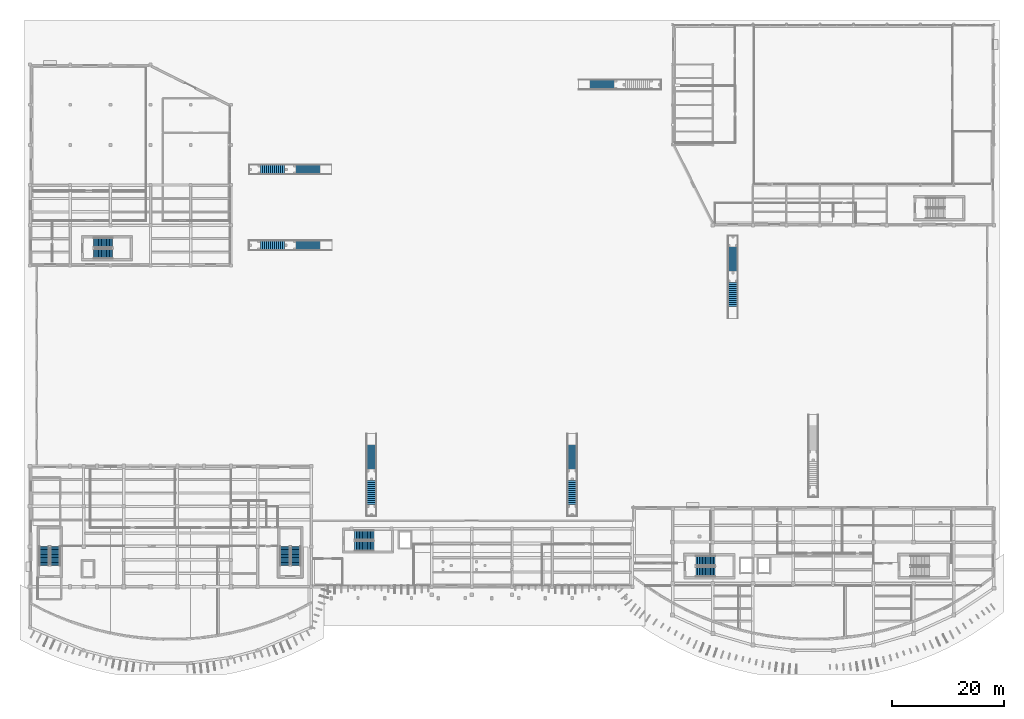
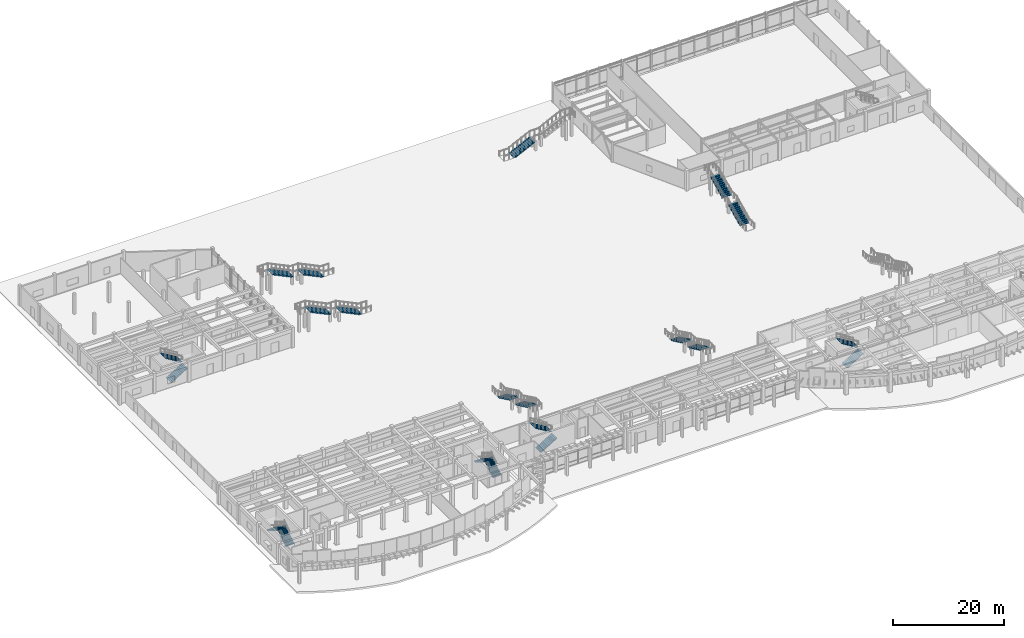
# One storey, part 39 of 58: 21 stair flights, 11 elements without a shape of their own.
"""IFC4 building model written with IfcOpenShell, lengths in metres."""

from ifc_helpers import new_model, si_unit, direction, frame, origin, place, context, subcontext, project, spatial, polyline, outline, extrude, material, type_object, element, aggregate, save


model = new_model("IFC4")

# Units and contexts
model_context = context("Model", 3, precision=1e-05, world=origin(), true_north=direction((0.0, 1.0)))
body_context = subcontext(model_context, "Body", "Model", "MODEL_VIEW")
ifc_project = project(units=[si_unit("LENGTHUNIT", "METRE"), si_unit("AREAUNIT", "SQUARE_METRE"), si_unit("VOLUMEUNIT", "CUBIC_METRE"), si_unit("PLANEANGLEUNIT", "RADIAN"), si_unit("MASSUNIT", "GRAM", prefix="KILO")], contexts=[model_context])

# Site, building, storey
site_placement = place(None, origin())
site = spatial("IfcSite", under=ifc_project, at=site_placement, CompositionType="ELEMENT")
building_placement = place(site_placement, origin())
building = spatial("IfcBuilding", under=site, at=building_placement, Name="Brisavento Harbour Community Centre", CompositionType="ELEMENT")
storey_placement = place(building_placement, origin())
storey = spatial("IfcBuildingStorey", under=building, at=storey_placement, Name="L00", CompositionType="ELEMENT", Elevation=0.0)

# Stair, stair flights
ifc_material_1 = material(Name="Concrete C35/45", Category="concrete")
stair_type_1 = type_object("IfcStairType", Name="STR-DL-4500", PredefinedType="HALF_TURN_STAIR", material=ifc_material_1)
stair_1_placement = place(storey_placement, origin())
stair_1 = element("IfcStair", 1, at=stair_1_placement, inside=storey, type_object=stair_type_1, Name="L00 ST-01", PredefinedType="HALF_TURN_STAIR")
stair_flight_type_1 = type_object("IfcStairFlightType", Name="FLT-DL-4500", PredefinedType="STRAIGHT", material=ifc_material_1)
stair_flight_1_placement = place(storey_placement, frame((4.5, 18.199951171875, 0.0), z_axis=(0.0, 0.0, 1.0), x_axis=(0.0, 1.0, 0.0)))
stair_flight_1 = element("IfcStairFlight", 2, at=stair_flight_1_placement, type_object=stair_flight_type_1, Name="ST-01 flight 1", NumberOfRisers=13, NumberOfTreads=12, PredefinedType="STRAIGHT", RiserHeight=0.173076923, TreadLength=0.285, context=body_context, shape_type="SweptSolid", body=[
    extrude(outline(polyline([(0.0, 0.0), (0.0, 0.173095703125), (0.284912109375, 0.173095703125), (0.284912109375, 0.34619140625), (0.570068359375, 0.34619140625), (0.570068359375, 0.519287109375), (0.85498046875, 0.519287109375), (0.85498046875, 0.6923828125), (1.139892578125, 0.6923828125), (1.139892578125, 0.865478515625), (1.425048828125, 0.865478515625), (1.425048828125, 1.03857421875), (1.7099609375, 1.03857421875), (1.7099609375, 1.21142578125), (1.9951171875, 1.21142578125), (1.9951171875, 1.384521484375), (2.280029296875, 1.384521484375), (2.280029296875, 1.5576171875), (2.56494140625, 1.5576171875), (2.56494140625, 1.730712890625), (2.85009765625, 1.730712890625), (2.85009765625, 1.90380859375), (3.135009765625, 1.90380859375), (3.135009765625, 2.076904296875), (3.419921875, 2.076904296875), (3.419921875, 2.25), (3.419921875, 1.901611328125), (0.288818359375, 0.0), (0.0, 0.0)])), frame((0.0, 0.89990234375, 0.0), z_axis=(0.0, -1.0, 0.0), x_axis=(1.0, 0.0, 0.0)), (0.0, 0.0, 1.0), 1.800048828125),
])
stair_flight_2_placement = place(storey_placement, frame((2.550048828125, 21.6201171875, 2.25), z_axis=(0.0, 0.0, 1.0), x_axis=(0.0, -1.0, 0.0)))
stair_flight_2 = element("IfcStairFlight", 3, at=stair_flight_2_placement, type_object=stair_flight_type_1, Name="ST-01 flight 2", NumberOfRisers=13, NumberOfTreads=12, PredefinedType="STRAIGHT", RiserHeight=0.173076923, TreadLength=0.285, context=body_context, shape_type="SweptSolid", body=[
    extrude(outline(polyline([(0.0, 0.0), (0.0, 0.173095703125), (0.284912109375, 0.173095703125), (0.284912109375, 0.34619140625), (0.570068359375, 0.34619140625), (0.570068359375, 0.519287109375), (0.85498046875, 0.519287109375), (0.85498046875, 0.6923828125), (1.139892578125, 0.6923828125), (1.139892578125, 0.865478515625), (1.425048828125, 0.865478515625), (1.425048828125, 1.03857421875), (1.7099609375, 1.03857421875), (1.7099609375, 1.21142578125), (1.9951171875, 1.21142578125), (1.9951171875, 1.384521484375), (2.280029296875, 1.384521484375), (2.280029296875, 1.5576171875), (2.56494140625, 1.5576171875), (2.56494140625, 1.730712890625), (2.85009765625, 1.730712890625), (2.85009765625, 1.90380859375), (3.135009765625, 1.90380859375), (3.135009765625, 2.076904296875), (3.419921875, 2.076904296875), (3.419921875, 2.25), (3.419921875, 1.901611328125), (0.288818359375, 0.0), (0.0, 0.0)])), frame((0.0, 0.89990234375, 0.0), z_axis=(0.0, -1.0, 0.0), x_axis=(1.0, 0.0, 0.0)), (0.0, 0.0, 1.0), 1.800048828125),
])
aggregate(stair_1, [stair_flight_1, stair_flight_2])

stair_2_placement = place(storey_placement, origin())
stair_2 = element("IfcStair", 4, at=stair_2_placement, inside=storey, type_object=stair_type_1, Name="L00 ST-02", PredefinedType="HALF_TURN_STAIR")
stair_flight_3_placement = place(storey_placement, frame((47.64990234375, 18.199951171875, 0.0), z_axis=(0.0, 0.0, 1.0), x_axis=(0.0, 1.0, 0.0)))
stair_flight_3 = element("IfcStairFlight", 5, at=stair_flight_3_placement, type_object=stair_flight_type_1, Name="ST-02 flight 1", NumberOfRisers=13, NumberOfTreads=12, PredefinedType="STRAIGHT", RiserHeight=0.173076923, TreadLength=0.285, context=body_context, shape_type="SweptSolid", body=[
    extrude(outline(polyline([(0.0, 0.0), (0.0, 0.173095703125), (0.284912109375, 0.173095703125), (0.284912109375, 0.34619140625), (0.570068359375, 0.34619140625), (0.570068359375, 0.519287109375), (0.85498046875, 0.519287109375), (0.85498046875, 0.6923828125), (1.139892578125, 0.6923828125), (1.139892578125, 0.865478515625), (1.425048828125, 0.865478515625), (1.425048828125, 1.03857421875), (1.7099609375, 1.03857421875), (1.7099609375, 1.21142578125), (1.9951171875, 1.21142578125), (1.9951171875, 1.384521484375), (2.280029296875, 1.384521484375), (2.280029296875, 1.5576171875), (2.56494140625, 1.5576171875), (2.56494140625, 1.730712890625), (2.85009765625, 1.730712890625), (2.85009765625, 1.90380859375), (3.135009765625, 1.90380859375), (3.135009765625, 2.076904296875), (3.419921875, 2.076904296875), (3.419921875, 2.25), (3.419921875, 1.901611328125), (0.288818359375, 0.0), (0.0, 0.0)])), frame((0.0, 0.89990234375, 0.0), z_axis=(0.0, -1.0, 0.0), x_axis=(1.0, 0.0, 0.0)), (0.0, 0.0, 1.0), 1.800048828125),
])
stair_flight_4_placement = place(storey_placement, frame((45.699951171875, 21.6201171875, 2.25), z_axis=(0.0, 0.0, 1.0), x_axis=(0.0, -1.0, 0.0)))
stair_flight_4 = element("IfcStairFlight", 6, at=stair_flight_4_placement, type_object=stair_flight_type_1, Name="ST-02 flight 2", NumberOfRisers=13, NumberOfTreads=12, PredefinedType="STRAIGHT", RiserHeight=0.173076923, TreadLength=0.285, context=body_context, shape_type="SweptSolid", body=[
    extrude(outline(polyline([(0.0, 0.0), (0.0, 0.173095703125), (0.284912109375, 0.173095703125), (0.284912109375, 0.34619140625), (0.570068359375, 0.34619140625), (0.570068359375, 0.519287109375), (0.85498046875, 0.519287109375), (0.85498046875, 0.6923828125), (1.139892578125, 0.6923828125), (1.139892578125, 0.865478515625), (1.425048828125, 0.865478515625), (1.425048828125, 1.03857421875), (1.7099609375, 1.03857421875), (1.7099609375, 1.21142578125), (1.9951171875, 1.21142578125), (1.9951171875, 1.384521484375), (2.280029296875, 1.384521484375), (2.280029296875, 1.5576171875), (2.56494140625, 1.5576171875), (2.56494140625, 1.730712890625), (2.85009765625, 1.730712890625), (2.85009765625, 1.90380859375), (3.135009765625, 1.90380859375), (3.135009765625, 2.076904296875), (3.419921875, 2.076904296875), (3.419921875, 2.25), (3.419921875, 1.901611328125), (0.288818359375, 0.0), (0.0, 0.0)])), frame((0.0, 0.89990234375, 0.0), z_axis=(0.0, -1.0, 0.0), x_axis=(1.0, 0.0, 0.0)), (0.0, 0.0, 1.0), 1.800048828125),
])
aggregate(stair_2, [stair_flight_3, stair_flight_4])

stair_3_placement = place(storey_placement, origin())
stair_3 = element("IfcStair", 7, at=stair_3_placement, inside=storey, type_object=stair_type_1, Name="L00 ST-03", PredefinedType="HALF_TURN_STAIR")
stair_flight_5_placement = place(storey_placement, frame((58.199951171875, 21.699951171875, 0.0), z_axis=(0.0, 0.0, 1.0), x_axis=(1.0, 0.0, 0.0)))
stair_flight_5 = element("IfcStairFlight", 8, at=stair_flight_5_placement, type_object=stair_flight_type_1, Name="ST-03 flight 1", NumberOfRisers=13, NumberOfTreads=12, PredefinedType="STRAIGHT", RiserHeight=0.173076923, TreadLength=0.285, context=body_context, shape_type="SweptSolid", body=[
    extrude(outline(polyline([(0.0, 0.0), (0.0, 0.173095703125), (0.284912109375, 0.173095703125), (0.284912109375, 0.34619140625), (0.570068359375, 0.34619140625), (0.570068359375, 0.519287109375), (0.85498046875, 0.519287109375), (0.85498046875, 0.6923828125), (1.139892578125, 0.6923828125), (1.139892578125, 0.865478515625), (1.425048828125, 0.865478515625), (1.425048828125, 1.03857421875), (1.7099609375, 1.03857421875), (1.7099609375, 1.21142578125), (1.9951171875, 1.21142578125), (1.9951171875, 1.384521484375), (2.280029296875, 1.384521484375), (2.280029296875, 1.5576171875), (2.56494140625, 1.5576171875), (2.56494140625, 1.730712890625), (2.85009765625, 1.730712890625), (2.85009765625, 1.90380859375), (3.135009765625, 1.90380859375), (3.135009765625, 2.076904296875), (3.419921875, 2.076904296875), (3.419921875, 2.25), (3.419921875, 1.901611328125), (0.288818359375, 0.0), (0.0, 0.0)])), frame((0.0, 0.89990234375, 0.0), z_axis=(0.0, -1.0, 0.0), x_axis=(1.0, 0.0, 0.0)), (0.0, 0.0, 1.0), 1.800048828125),
])
stair_flight_6_placement = place(storey_placement, frame((61.6201171875, 23.64990234375, 2.25), z_axis=(0.0, 0.0, 1.0), x_axis=(-1.0, 0.0, 0.0)))
stair_flight_6 = element("IfcStairFlight", 9, at=stair_flight_6_placement, type_object=stair_flight_type_1, Name="ST-03 flight 2", NumberOfRisers=13, NumberOfTreads=12, PredefinedType="STRAIGHT", RiserHeight=0.173076923, TreadLength=0.285, context=body_context, shape_type="SweptSolid", body=[
    extrude(outline(polyline([(0.0, 0.0), (0.0, 0.173095703125), (0.284912109375, 0.173095703125), (0.284912109375, 0.34619140625), (0.570068359375, 0.34619140625), (0.570068359375, 0.519287109375), (0.85498046875, 0.519287109375), (0.85498046875, 0.6923828125), (1.139892578125, 0.6923828125), (1.139892578125, 0.865478515625), (1.425048828125, 0.865478515625), (1.425048828125, 1.03857421875), (1.7099609375, 1.03857421875), (1.7099609375, 1.21142578125), (1.9951171875, 1.21142578125), (1.9951171875, 1.384521484375), (2.280029296875, 1.384521484375), (2.280029296875, 1.5576171875), (2.56494140625, 1.5576171875), (2.56494140625, 1.730712890625), (2.85009765625, 1.730712890625), (2.85009765625, 1.90380859375), (3.135009765625, 1.90380859375), (3.135009765625, 2.076904296875), (3.419921875, 2.076904296875), (3.419921875, 2.25), (3.419921875, 1.901611328125), (0.288818359375, 0.0), (0.0, 0.0)])), frame((0.0, 0.89990234375, 0.0), z_axis=(0.0, -1.0, 0.0), x_axis=(1.0, 0.0, 0.0)), (0.0, 0.0, 1.0), 1.800048828125),
])
aggregate(stair_3, [stair_flight_5, stair_flight_6])

stair_4_placement = place(storey_placement, origin())
stair_4 = element("IfcStair", 10, at=stair_4_placement, inside=storey, type_object=stair_type_1, Name="L00 ST-04", PredefinedType="HALF_TURN_STAIR")
stair_flight_7_placement = place(storey_placement, frame((119.39990234375, 17.10009765625, 0.0), z_axis=(0.0, 0.0, 1.0), x_axis=(1.0, 0.0, 0.0)))
stair_flight_7 = element("IfcStairFlight", 11, at=stair_flight_7_placement, type_object=stair_flight_type_1, Name="ST-04 flight 1", NumberOfRisers=13, NumberOfTreads=12, PredefinedType="STRAIGHT", RiserHeight=0.173076923, TreadLength=0.285, context=body_context, shape_type="SweptSolid", body=[
    extrude(outline(polyline([(0.0, 0.0), (0.0, 0.173095703125), (0.284912109375, 0.173095703125), (0.284912109375, 0.34619140625), (0.570068359375, 0.34619140625), (0.570068359375, 0.519287109375), (0.85498046875, 0.519287109375), (0.85498046875, 0.6923828125), (1.139892578125, 0.6923828125), (1.139892578125, 0.865478515625), (1.425048828125, 0.865478515625), (1.425048828125, 1.03857421875), (1.7099609375, 1.03857421875), (1.7099609375, 1.21142578125), (1.9951171875, 1.21142578125), (1.9951171875, 1.384521484375), (2.280029296875, 1.384521484375), (2.280029296875, 1.5576171875), (2.56494140625, 1.5576171875), (2.56494140625, 1.730712890625), (2.85009765625, 1.730712890625), (2.85009765625, 1.90380859375), (3.135009765625, 1.90380859375), (3.135009765625, 2.076904296875), (3.419921875, 2.076904296875), (3.419921875, 2.25), (3.419921875, 1.901611328125), (0.288818359375, 0.0), (0.0, 0.0)])), frame((0.0, 0.89990234375, 0.0), z_axis=(0.0, -1.0, 0.0), x_axis=(1.0, 0.0, 0.0)), (0.0, 0.0, 1.0), 1.800048828125),
])
stair_flight_8_placement = place(storey_placement, frame((122.820068359375, 19.050048828125, 2.25), z_axis=(0.0, 0.0, 1.0), x_axis=(-1.0, 0.0, 0.0)))
stair_flight_8 = element("IfcStairFlight", 12, at=stair_flight_8_placement, type_object=stair_flight_type_1, Name="ST-04 flight 2", NumberOfRisers=13, NumberOfTreads=12, PredefinedType="STRAIGHT", RiserHeight=0.173076923, TreadLength=0.285, context=body_context, shape_type="SweptSolid", body=[
    extrude(outline(polyline([(0.0, 0.0), (0.0, 0.173095703125), (0.284912109375, 0.173095703125), (0.284912109375, 0.34619140625), (0.570068359375, 0.34619140625), (0.570068359375, 0.519287109375), (0.85498046875, 0.519287109375), (0.85498046875, 0.6923828125), (1.139892578125, 0.6923828125), (1.139892578125, 0.865478515625), (1.425048828125, 0.865478515625), (1.425048828125, 1.03857421875), (1.7099609375, 1.03857421875), (1.7099609375, 1.21142578125), (1.9951171875, 1.21142578125), (1.9951171875, 1.384521484375), (2.280029296875, 1.384521484375), (2.280029296875, 1.5576171875), (2.56494140625, 1.5576171875), (2.56494140625, 1.730712890625), (2.85009765625, 1.730712890625), (2.85009765625, 1.90380859375), (3.135009765625, 1.90380859375), (3.135009765625, 2.076904296875), (3.419921875, 2.076904296875), (3.419921875, 2.25), (3.419921875, 1.901611328125), (0.288818359375, 0.0), (0.0, 0.0)])), frame((0.0, 0.89990234375, 0.0), z_axis=(0.0, -1.0, 0.0), x_axis=(1.0, 0.0, 0.0)), (0.0, 0.0, 1.0), 1.800048828125),
])
aggregate(stair_4, [stair_flight_7, stair_flight_8])

stair_5_placement = place(storey_placement, origin())
stair_5 = element("IfcStair", 13, at=stair_5_placement, inside=storey, type_object=stair_type_1, Name="L00 ST-07", PredefinedType="HALF_TURN_STAIR")
stair_flight_9_placement = place(storey_placement, frame((11.39990234375, 74.10009765625, 0.0), z_axis=(0.0, 0.0, 1.0), x_axis=(1.0, 0.0, 0.0)))
stair_flight_9 = element("IfcStairFlight", 14, at=stair_flight_9_placement, type_object=stair_flight_type_1, Name="ST-07 flight 1", NumberOfRisers=13, NumberOfTreads=12, PredefinedType="STRAIGHT", RiserHeight=0.173076923, TreadLength=0.285, context=body_context, shape_type="SweptSolid", body=[
    extrude(outline(polyline([(0.0, 0.0), (0.0, 0.173095703125), (0.284912109375, 0.173095703125), (0.284912109375, 0.34619140625), (0.570068359375, 0.34619140625), (0.570068359375, 0.519287109375), (0.85498046875, 0.519287109375), (0.85498046875, 0.6923828125), (1.139892578125, 0.6923828125), (1.139892578125, 0.865478515625), (1.425048828125, 0.865478515625), (1.425048828125, 1.03857421875), (1.7099609375, 1.03857421875), (1.7099609375, 1.21142578125), (1.9951171875, 1.21142578125), (1.9951171875, 1.384521484375), (2.280029296875, 1.384521484375), (2.280029296875, 1.5576171875), (2.56494140625, 1.5576171875), (2.56494140625, 1.730712890625), (2.85009765625, 1.730712890625), (2.85009765625, 1.90380859375), (3.135009765625, 1.90380859375), (3.135009765625, 2.076904296875), (3.419921875, 2.076904296875), (3.419921875, 2.25), (3.419921875, 1.901611328125), (0.288818359375, 0.0), (0.0, 0.0)])), frame((0.0, 0.89990234375, 0.0), z_axis=(0.0, -1.0, 0.0), x_axis=(1.0, 0.0, 0.0)), (0.0, 0.0, 1.0), 1.800048828125),
])
stair_flight_10_placement = place(storey_placement, frame((14.820068359375, 76.050048828125, 2.25), z_axis=(0.0, 0.0, 1.0), x_axis=(-1.0, 0.0, 0.0)))
stair_flight_10 = element("IfcStairFlight", 15, at=stair_flight_10_placement, type_object=stair_flight_type_1, Name="ST-07 flight 2", NumberOfRisers=13, NumberOfTreads=12, PredefinedType="STRAIGHT", RiserHeight=0.173076923, TreadLength=0.285, context=body_context, shape_type="SweptSolid", body=[
    extrude(outline(polyline([(0.0, 0.0), (0.0, 0.173095703125), (0.284912109375, 0.173095703125), (0.284912109375, 0.34619140625), (0.570068359375, 0.34619140625), (0.570068359375, 0.519287109375), (0.85498046875, 0.519287109375), (0.85498046875, 0.6923828125), (1.139892578125, 0.6923828125), (1.139892578125, 0.865478515625), (1.425048828125, 0.865478515625), (1.425048828125, 1.03857421875), (1.7099609375, 1.03857421875), (1.7099609375, 1.21142578125), (1.9951171875, 1.21142578125), (1.9951171875, 1.384521484375), (2.280029296875, 1.384521484375), (2.280029296875, 1.5576171875), (2.56494140625, 1.5576171875), (2.56494140625, 1.730712890625), (2.85009765625, 1.730712890625), (2.85009765625, 1.90380859375), (3.135009765625, 1.90380859375), (3.135009765625, 2.076904296875), (3.419921875, 2.076904296875), (3.419921875, 2.25), (3.419921875, 1.901611328125), (0.288818359375, 0.0), (0.0, 0.0)])), frame((0.0, 0.89990234375, 0.0), z_axis=(0.0, -1.0, 0.0), x_axis=(1.0, 0.0, 0.0)), (0.0, 0.0, 1.0), 1.800048828125),
])
aggregate(stair_5, [stair_flight_9, stair_flight_10])

ifc_material_2 = material(Name="Precast concrete C40/50", Category="concrete")
stair_type_2 = type_object("IfcStairType", Name="STR-MON-1", PredefinedType="STRAIGHT_RUN_STAIR", material=ifc_material_2)
stair_6_placement = place(storey_placement, origin())
stair_6 = element("IfcStair", 16, at=stair_6_placement, inside=storey, type_object=stair_type_2, Name="L00 monumental courtyard stair MST-01", PredefinedType="STRAIGHT_RUN_STAIR")
stair_flight_type_2 = type_object("IfcStairFlightType", Name="FLT-MON-1", PredefinedType="STRAIGHT", material=ifc_material_2)
stair_flight_11_placement = place(storey_placement, frame((61.199951171875, 39.800048828125, 0.0), z_axis=(0.0, 0.0, 1.0), x_axis=(0.0, -1.0, 0.0)))
stair_flight_11 = element("IfcStairFlight", 17, at=stair_flight_11_placement, type_object=stair_flight_type_2, Name="MST-01 flight 1", NumberOfRisers=13, NumberOfTreads=12, PredefinedType="STRAIGHT", RiserHeight=0.173076923, TreadLength=0.36, context=body_context, shape_type="SweptSolid", body=[
    extrude(outline(polyline([(0.0, 0.0), (0.0, 0.173095703125), (0.360107421875, 0.173095703125), (0.360107421875, 0.34619140625), (0.719970703125, 0.34619140625), (0.719970703125, 0.519287109375), (1.080078125, 0.519287109375), (1.080078125, 0.6923828125), (1.43994140625, 0.6923828125), (1.43994140625, 0.865478515625), (1.800048828125, 0.865478515625), (1.800048828125, 1.03857421875), (2.159912109375, 1.03857421875), (2.159912109375, 1.21142578125), (2.52001953125, 1.21142578125), (2.52001953125, 1.384521484375), (2.8798828125, 1.384521484375), (2.8798828125, 1.5576171875), (3.239990234375, 1.5576171875), (3.239990234375, 1.730712890625), (3.60009765625, 1.730712890625), (3.60009765625, 1.90380859375), (3.9599609375, 1.90380859375), (3.9599609375, 2.076904296875), (4.320068359375, 2.076904296875), (4.320068359375, 2.25), (4.320068359375, 1.877197265625), (0.415283203125, 0.0), (0.0, 0.0)])), frame((0.0, 0.89990234375, 0.0), z_axis=(0.0, -1.0, 0.0), x_axis=(1.0, 0.0, 0.0)), (0.0, 0.0, 1.0), 1.800048828125),
])
stair_flight_12_placement = place(storey_placement, frame((61.199951171875, 33.429931640625, 2.25), z_axis=(0.0, 0.0, 1.0), x_axis=(0.0, -1.0, 0.0)))
stair_flight_12 = element("IfcStairFlight", 18, at=stair_flight_12_placement, type_object=stair_flight_type_2, Name="MST-01 flight 2", NumberOfRisers=13, NumberOfTreads=12, PredefinedType="STRAIGHT", RiserHeight=0.173076923, TreadLength=0.36, context=body_context, shape_type="SweptSolid", body=[
    extrude(outline(polyline([(0.0, 0.0), (0.0, 0.173095703125), (0.360107421875, 0.173095703125), (0.360107421875, 0.34619140625), (0.719970703125, 0.34619140625), (0.719970703125, 0.519287109375), (1.080078125, 0.519287109375), (1.080078125, 0.6923828125), (1.43994140625, 0.6923828125), (1.43994140625, 0.865478515625), (1.800048828125, 0.865478515625), (1.800048828125, 1.03857421875), (2.159912109375, 1.03857421875), (2.159912109375, 1.21142578125), (2.52001953125, 1.21142578125), (2.52001953125, 1.384521484375), (2.8798828125, 1.384521484375), (2.8798828125, 1.5576171875), (3.239990234375, 1.5576171875), (3.239990234375, 1.730712890625), (3.60009765625, 1.730712890625), (3.60009765625, 1.90380859375), (3.9599609375, 1.90380859375), (3.9599609375, 2.076904296875), (4.320068359375, 2.076904296875), (4.320068359375, 2.25), (4.320068359375, 1.877197265625), (0.415283203125, 0.0), (0.0, 0.0)])), frame((0.0, 0.89990234375, 0.0), z_axis=(0.0, -1.0, 0.0), x_axis=(1.0, 0.0, 0.0)), (0.0, 0.0, 1.0), 1.800048828125),
])
aggregate(stair_6, [stair_flight_11, stair_flight_12])

stair_7_placement = place(storey_placement, origin())
stair_7 = element("IfcStair", 19, at=stair_7_placement, inside=storey, type_object=stair_type_2, Name="L00 monumental courtyard stair MST-02", PredefinedType="STRAIGHT_RUN_STAIR")
stair_flight_13_placement = place(storey_placement, frame((97.199951171875, 39.800048828125, 0.0), z_axis=(0.0, 0.0, 1.0), x_axis=(0.0, -1.0, 0.0)))
stair_flight_13 = element("IfcStairFlight", 20, at=stair_flight_13_placement, type_object=stair_flight_type_2, Name="MST-02 flight 1", NumberOfRisers=13, NumberOfTreads=12, PredefinedType="STRAIGHT", RiserHeight=0.173076923, TreadLength=0.36, context=body_context, shape_type="SweptSolid", body=[
    extrude(outline(polyline([(0.0, 0.0), (0.0, 0.173095703125), (0.360107421875, 0.173095703125), (0.360107421875, 0.34619140625), (0.719970703125, 0.34619140625), (0.719970703125, 0.519287109375), (1.080078125, 0.519287109375), (1.080078125, 0.6923828125), (1.43994140625, 0.6923828125), (1.43994140625, 0.865478515625), (1.800048828125, 0.865478515625), (1.800048828125, 1.03857421875), (2.159912109375, 1.03857421875), (2.159912109375, 1.21142578125), (2.52001953125, 1.21142578125), (2.52001953125, 1.384521484375), (2.8798828125, 1.384521484375), (2.8798828125, 1.5576171875), (3.239990234375, 1.5576171875), (3.239990234375, 1.730712890625), (3.60009765625, 1.730712890625), (3.60009765625, 1.90380859375), (3.9599609375, 1.90380859375), (3.9599609375, 2.076904296875), (4.320068359375, 2.076904296875), (4.320068359375, 2.25), (4.320068359375, 1.877197265625), (0.415283203125, 0.0), (0.0, 0.0)])), frame((0.0, 0.89990234375, 0.0), z_axis=(0.0, -1.0, 0.0), x_axis=(1.0, 0.0, 0.0)), (0.0, 0.0, 1.0), 1.800048828125),
])
stair_flight_14_placement = place(storey_placement, frame((97.199951171875, 33.429931640625, 2.25), z_axis=(0.0, 0.0, 1.0), x_axis=(0.0, -1.0, 0.0)))
stair_flight_14 = element("IfcStairFlight", 21, at=stair_flight_14_placement, type_object=stair_flight_type_2, Name="MST-02 flight 2", NumberOfRisers=13, NumberOfTreads=12, PredefinedType="STRAIGHT", RiserHeight=0.173076923, TreadLength=0.36, context=body_context, shape_type="SweptSolid", body=[
    extrude(outline(polyline([(0.0, 0.0), (0.0, 0.173095703125), (0.360107421875, 0.173095703125), (0.360107421875, 0.34619140625), (0.719970703125, 0.34619140625), (0.719970703125, 0.519287109375), (1.080078125, 0.519287109375), (1.080078125, 0.6923828125), (1.43994140625, 0.6923828125), (1.43994140625, 0.865478515625), (1.800048828125, 0.865478515625), (1.800048828125, 1.03857421875), (2.159912109375, 1.03857421875), (2.159912109375, 1.21142578125), (2.52001953125, 1.21142578125), (2.52001953125, 1.384521484375), (2.8798828125, 1.384521484375), (2.8798828125, 1.5576171875), (3.239990234375, 1.5576171875), (3.239990234375, 1.730712890625), (3.60009765625, 1.730712890625), (3.60009765625, 1.90380859375), (3.9599609375, 1.90380859375), (3.9599609375, 2.076904296875), (4.320068359375, 2.076904296875), (4.320068359375, 2.25), (4.320068359375, 1.877197265625), (0.415283203125, 0.0), (0.0, 0.0)])), frame((0.0, 0.89990234375, 0.0), z_axis=(0.0, -1.0, 0.0), x_axis=(1.0, 0.0, 0.0)), (0.0, 0.0, 1.0), 1.800048828125),
])
aggregate(stair_7, [stair_flight_13, stair_flight_14])

# Stair, stair flight
stair_8_placement = place(storey_placement, origin())
stair_8 = element("IfcStair", 22, at=stair_8_placement, inside=storey, type_object=stair_type_2, Name="L00 monumental courtyard stair MST-06", PredefinedType="STRAIGHT_RUN_STAIR")
stair_flight_15_placement = place(storey_placement, frame((100.39990234375, 104.39990234375, 0.0), z_axis=(0.0, 0.0, 1.0), x_axis=(1.0, 0.0, 0.0)))
stair_flight_15 = element("IfcStairFlight", 23, at=stair_flight_15_placement, type_object=stair_flight_type_2, Name="MST-06 flight 1", NumberOfRisers=13, NumberOfTreads=12, PredefinedType="STRAIGHT", RiserHeight=0.173076923, TreadLength=0.36, context=body_context, shape_type="SweptSolid", body=[
    extrude(outline(polyline([(0.0, 0.0), (0.0, 0.173095703125), (0.360107421875, 0.173095703125), (0.360107421875, 0.34619140625), (0.719970703125, 0.34619140625), (0.719970703125, 0.519287109375), (1.080078125, 0.519287109375), (1.080078125, 0.6923828125), (1.43994140625, 0.6923828125), (1.43994140625, 0.865478515625), (1.800048828125, 0.865478515625), (1.800048828125, 1.03857421875), (2.159912109375, 1.03857421875), (2.159912109375, 1.21142578125), (2.52001953125, 1.21142578125), (2.52001953125, 1.384521484375), (2.8798828125, 1.384521484375), (2.8798828125, 1.5576171875), (3.239990234375, 1.5576171875), (3.239990234375, 1.730712890625), (3.60009765625, 1.730712890625), (3.60009765625, 1.90380859375), (3.9599609375, 1.90380859375), (3.9599609375, 2.076904296875), (4.320068359375, 2.076904296875), (4.320068359375, 2.25), (4.320068359375, 1.877197265625), (0.415283203125, 0.0), (0.0, 0.0)])), frame((0.0, 0.89990234375, 0.0), z_axis=(0.0, -1.0, 0.0), x_axis=(1.0, 0.0, 0.0)), (0.0, 0.0, 1.0), 1.800048828125),
])
aggregate(stair_8, [stair_flight_15])

# Stair, stair flights
stair_9_placement = place(storey_placement, origin())
stair_9 = element("IfcStair", 24, at=stair_9_placement, inside=storey, type_object=stair_type_2, Name="L00 monumental courtyard stair MST-07", PredefinedType="STRAIGHT_RUN_STAIR")
stair_flight_16_placement = place(storey_placement, frame((52.0, 89.199951171875, 0.0), z_axis=(0.0, 0.0, 1.0), x_axis=(-1.0, 0.0, 0.0)))
stair_flight_16 = element("IfcStairFlight", 25, at=stair_flight_16_placement, type_object=stair_flight_type_2, Name="MST-07 flight 1", NumberOfRisers=13, NumberOfTreads=12, PredefinedType="STRAIGHT", RiserHeight=0.173076923, TreadLength=0.36, context=body_context, shape_type="SweptSolid", body=[
    extrude(outline(polyline([(0.0, 0.0), (0.0, 0.173095703125), (0.360107421875, 0.173095703125), (0.360107421875, 0.34619140625), (0.719970703125, 0.34619140625), (0.719970703125, 0.519287109375), (1.080078125, 0.519287109375), (1.080078125, 0.6923828125), (1.43994140625, 0.6923828125), (1.43994140625, 0.865478515625), (1.800048828125, 0.865478515625), (1.800048828125, 1.03857421875), (2.159912109375, 1.03857421875), (2.159912109375, 1.21142578125), (2.52001953125, 1.21142578125), (2.52001953125, 1.384521484375), (2.8798828125, 1.384521484375), (2.8798828125, 1.5576171875), (3.239990234375, 1.5576171875), (3.239990234375, 1.730712890625), (3.60009765625, 1.730712890625), (3.60009765625, 1.90380859375), (3.9599609375, 1.90380859375), (3.9599609375, 2.076904296875), (4.320068359375, 2.076904296875), (4.320068359375, 2.25), (4.320068359375, 1.877197265625), (0.415283203125, 0.0), (0.0, 0.0)])), frame((0.0, 0.89990234375, 0.0), z_axis=(0.0, -1.0, 0.0), x_axis=(1.0, 0.0, 0.0)), (0.0, 0.0, 1.0), 1.800048828125),
])
stair_flight_17_placement = place(storey_placement, frame((45.6298828125, 89.199951171875, 2.25), z_axis=(0.0, 0.0, 1.0), x_axis=(-1.0, 0.0, 0.0)))
stair_flight_17 = element("IfcStairFlight", 26, at=stair_flight_17_placement, type_object=stair_flight_type_2, Name="MST-07 flight 2", NumberOfRisers=13, NumberOfTreads=12, PredefinedType="STRAIGHT", RiserHeight=0.173076923, TreadLength=0.36, context=body_context, shape_type="SweptSolid", body=[
    extrude(outline(polyline([(0.0, 0.0), (0.0, 0.173095703125), (0.360107421875, 0.173095703125), (0.360107421875, 0.34619140625), (0.719970703125, 0.34619140625), (0.719970703125, 0.519287109375), (1.080078125, 0.519287109375), (1.080078125, 0.6923828125), (1.43994140625, 0.6923828125), (1.43994140625, 0.865478515625), (1.800048828125, 0.865478515625), (1.800048828125, 1.03857421875), (2.159912109375, 1.03857421875), (2.159912109375, 1.21142578125), (2.52001953125, 1.21142578125), (2.52001953125, 1.384521484375), (2.8798828125, 1.384521484375), (2.8798828125, 1.5576171875), (3.239990234375, 1.5576171875), (3.239990234375, 1.730712890625), (3.60009765625, 1.730712890625), (3.60009765625, 1.90380859375), (3.9599609375, 1.90380859375), (3.9599609375, 2.076904296875), (4.320068359375, 2.076904296875), (4.320068359375, 2.25), (4.320068359375, 1.877197265625), (0.415283203125, 0.0), (0.0, 0.0)])), frame((0.0, 0.89990234375, 0.0), z_axis=(0.0, -1.0, 0.0), x_axis=(1.0, 0.0, 0.0)), (0.0, 0.0, 1.0), 1.800048828125),
])
aggregate(stair_9, [stair_flight_16, stair_flight_17])

stair_type_3 = type_object("IfcStairType", Name="STR-MON-2", PredefinedType="STRAIGHT_RUN_STAIR", material=ifc_material_2)
stair_10_placement = place(storey_placement, origin())
stair_10 = element("IfcStair", 27, at=stair_10_placement, inside=storey, type_object=stair_type_3, Name="L00 monumental courtyard stair MST-03", PredefinedType="STRAIGHT_RUN_STAIR")
stair_flight_type_3 = type_object("IfcStairFlightType", Name="FLT-MON-2", PredefinedType="STRAIGHT", material=ifc_material_2)
stair_flight_18_placement = place(storey_placement, frame((126.0, 64.60009765625, 0.0), z_axis=(0.0, 0.0, 1.0), x_axis=(0.0, 1.0, 0.0)))
stair_flight_18 = element("IfcStairFlight", 28, at=stair_flight_18_placement, type_object=stair_flight_type_3, Name="MST-03 flight 1", NumberOfRisers=13, NumberOfTreads=12, PredefinedType="STRAIGHT", RiserHeight=0.173076923, TreadLength=0.36, context=body_context, shape_type="SweptSolid", body=[
    extrude(outline(polyline([(0.0, 0.0), (0.0, 0.173095703125), (0.360107421875, 0.173095703125), (0.360107421875, 0.34619140625), (0.719970703125, 0.34619140625), (0.719970703125, 0.519287109375), (1.080078125, 0.519287109375), (1.080078125, 0.6923828125), (1.43994140625, 0.6923828125), (1.43994140625, 0.865478515625), (1.800048828125, 0.865478515625), (1.800048828125, 1.03857421875), (2.159912109375, 1.03857421875), (2.159912109375, 1.21142578125), (2.52001953125, 1.21142578125), (2.52001953125, 1.384521484375), (2.8798828125, 1.384521484375), (2.8798828125, 1.5576171875), (3.239990234375, 1.5576171875), (3.239990234375, 1.730712890625), (3.60009765625, 1.730712890625), (3.60009765625, 1.90380859375), (3.9599609375, 1.90380859375), (3.9599609375, 2.076904296875), (4.320068359375, 2.076904296875), (4.320068359375, 2.25), (4.320068359375, 1.877197265625), (0.415283203125, 0.0), (0.0, 0.0)])), frame((0.0, 0.91015625, 0.0), z_axis=(0.0, -1.0, 0.0), x_axis=(1.0, 0.0, 0.0)), (0.0, 0.0, 1.0), 1.820068359375),
])
stair_flight_19_placement = place(storey_placement, frame((126.0, 70.989990234375, 2.25), z_axis=(0.0, 0.0, 1.0), x_axis=(0.0, 1.0, 0.0)))
stair_flight_19 = element("IfcStairFlight", 29, at=stair_flight_19_placement, type_object=stair_flight_type_3, Name="MST-03 flight 2", NumberOfRisers=13, NumberOfTreads=12, PredefinedType="STRAIGHT", RiserHeight=0.173076923, TreadLength=0.36, context=body_context, shape_type="SweptSolid", body=[
    extrude(outline(polyline([(0.0, 0.0), (0.0, 0.173095703125), (0.360107421875, 0.173095703125), (0.360107421875, 0.34619140625), (0.719970703125, 0.34619140625), (0.719970703125, 0.519287109375), (1.080078125, 0.519287109375), (1.080078125, 0.6923828125), (1.43994140625, 0.6923828125), (1.43994140625, 0.865478515625), (1.800048828125, 0.865478515625), (1.800048828125, 1.03857421875), (2.159912109375, 1.03857421875), (2.159912109375, 1.21142578125), (2.52001953125, 1.21142578125), (2.52001953125, 1.384521484375), (2.8798828125, 1.384521484375), (2.8798828125, 1.5576171875), (3.239990234375, 1.5576171875), (3.239990234375, 1.730712890625), (3.60009765625, 1.730712890625), (3.60009765625, 1.90380859375), (3.9599609375, 1.90380859375), (3.9599609375, 2.076904296875), (4.320068359375, 2.076904296875), (4.320068359375, 2.25), (4.320068359375, 1.877197265625), (0.415283203125, 0.0), (0.0, 0.0)])), frame((0.0, 0.91015625, 0.0), z_axis=(0.0, -1.0, 0.0), x_axis=(1.0, 0.0, 0.0)), (0.0, 0.0, 1.0), 1.820068359375),
])
aggregate(stair_10, [stair_flight_18, stair_flight_19])

stair_11_placement = place(storey_placement, origin())
stair_11 = element("IfcStair", 30, at=stair_11_placement, inside=storey, type_object=stair_type_3, Name="L00 monumental courtyard stair MST-04", PredefinedType="STRAIGHT_RUN_STAIR")
stair_flight_20_placement = place(storey_placement, frame((52.0, 75.60009765625, 0.0), z_axis=(0.0, 0.0, 1.0), x_axis=(-1.0, 0.0, 0.0)))
stair_flight_20 = element("IfcStairFlight", 31, at=stair_flight_20_placement, type_object=stair_flight_type_3, Name="MST-04 flight 1", NumberOfRisers=13, NumberOfTreads=12, PredefinedType="STRAIGHT", RiserHeight=0.173076923, TreadLength=0.36, context=body_context, shape_type="SweptSolid", body=[
    extrude(outline(polyline([(0.0, 0.0), (0.0, 0.173095703125), (0.360107421875, 0.173095703125), (0.360107421875, 0.34619140625), (0.719970703125, 0.34619140625), (0.719970703125, 0.519287109375), (1.080078125, 0.519287109375), (1.080078125, 0.6923828125), (1.43994140625, 0.6923828125), (1.43994140625, 0.865478515625), (1.800048828125, 0.865478515625), (1.800048828125, 1.03857421875), (2.159912109375, 1.03857421875), (2.159912109375, 1.21142578125), (2.52001953125, 1.21142578125), (2.52001953125, 1.384521484375), (2.8798828125, 1.384521484375), (2.8798828125, 1.5576171875), (3.239990234375, 1.5576171875), (3.239990234375, 1.730712890625), (3.60009765625, 1.730712890625), (3.60009765625, 1.90380859375), (3.9599609375, 1.90380859375), (3.9599609375, 2.076904296875), (4.320068359375, 2.076904296875), (4.320068359375, 2.25), (4.320068359375, 1.877197265625), (0.415283203125, 0.0), (0.0, 0.0)])), frame((0.0, 0.91015625, 0.0), z_axis=(0.0, -1.0, 0.0), x_axis=(1.0, 0.0, 0.0)), (0.0, 0.0, 1.0), 1.820068359375),
])
stair_flight_21_placement = place(storey_placement, frame((45.610107421875, 75.60009765625, 2.25), z_axis=(0.0, 0.0, 1.0), x_axis=(-1.0, 0.0, 0.0)))
stair_flight_21 = element("IfcStairFlight", 32, at=stair_flight_21_placement, type_object=stair_flight_type_3, Name="MST-04 flight 2", NumberOfRisers=13, NumberOfTreads=12, PredefinedType="STRAIGHT", RiserHeight=0.173076923, TreadLength=0.36, context=body_context, shape_type="SweptSolid", body=[
    extrude(outline(polyline([(0.0, 0.0), (0.0, 0.173095703125), (0.360107421875, 0.173095703125), (0.360107421875, 0.34619140625), (0.719970703125, 0.34619140625), (0.719970703125, 0.519287109375), (1.080078125, 0.519287109375), (1.080078125, 0.6923828125), (1.43994140625, 0.6923828125), (1.43994140625, 0.865478515625), (1.800048828125, 0.865478515625), (1.800048828125, 1.03857421875), (2.159912109375, 1.03857421875), (2.159912109375, 1.21142578125), (2.52001953125, 1.21142578125), (2.52001953125, 1.384521484375), (2.8798828125, 1.384521484375), (2.8798828125, 1.5576171875), (3.239990234375, 1.5576171875), (3.239990234375, 1.730712890625), (3.60009765625, 1.730712890625), (3.60009765625, 1.90380859375), (3.9599609375, 1.90380859375), (3.9599609375, 2.076904296875), (4.320068359375, 2.076904296875), (4.320068359375, 2.25), (4.320068359375, 1.877197265625), (0.415283203125, 0.0), (0.0, 0.0)])), frame((0.0, 0.91015625, 0.0), z_axis=(0.0, -1.0, 0.0), x_axis=(1.0, 0.0, 0.0)), (0.0, 0.0, 1.0), 1.820068359375),
])
aggregate(stair_11, [stair_flight_20, stair_flight_21])

save(model, "model.ifc")
